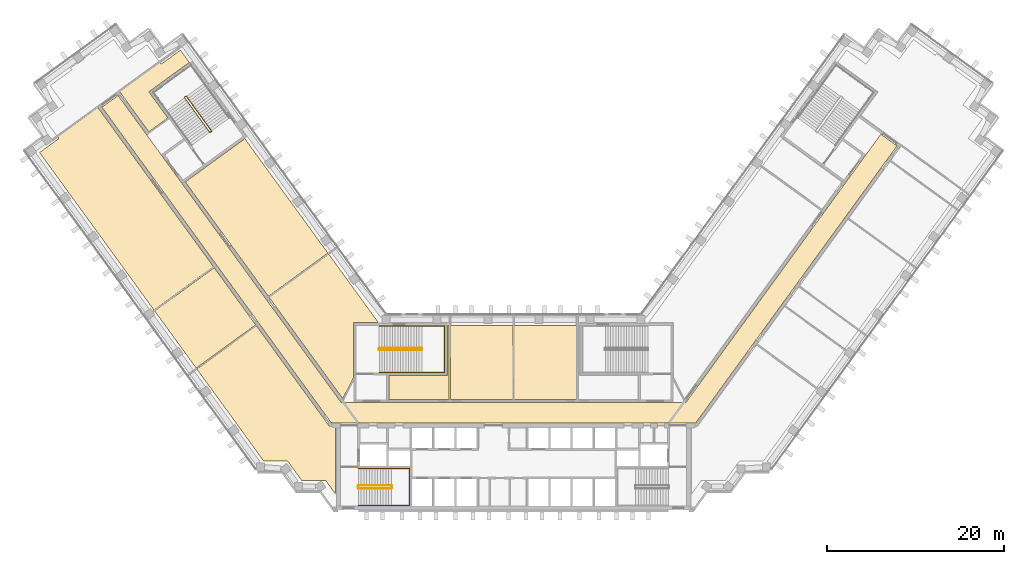
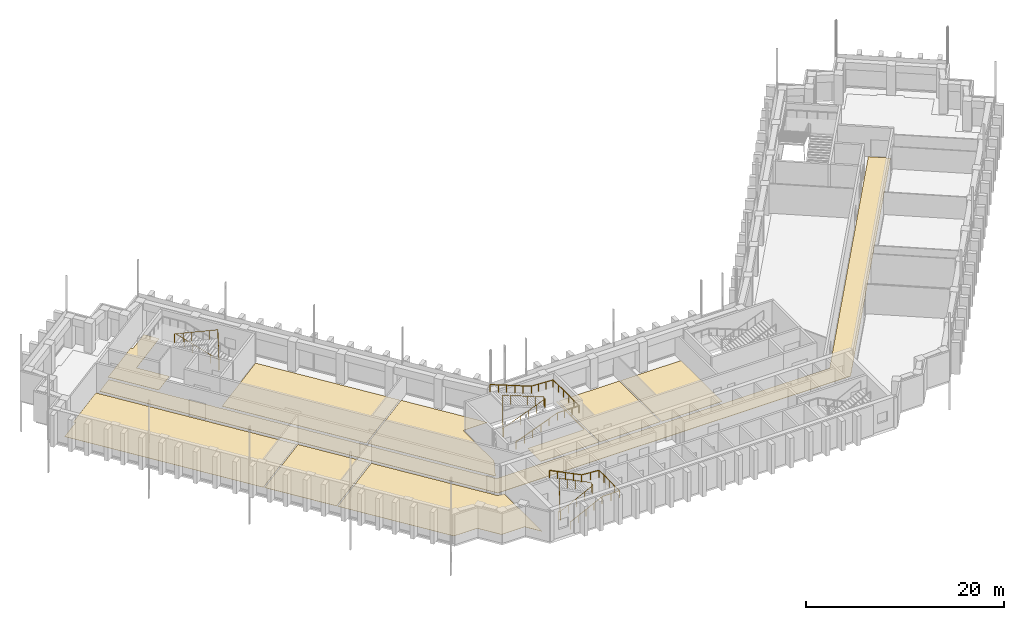
# One storey, part 16 of 18: 10 coverings, 5 railings.
"""IFC4 building model written with IfcOpenShell, lengths in metres."""

from ifc_helpers import new_model, si_unit, direction, frame, origin, origin_2d, place, context, subcontext, project, spatial, polyline, circle, outline, extrude, material, layer, layer_set, type_object, element, save


model = new_model("IFC4")

# Units and contexts
model_context = context("Model", 3, precision=1e-05, world=origin(), true_north=direction((0.0, 1.0)))
body_context = subcontext(model_context, "Body", "Model", "MODEL_VIEW")
ifc_project = project(units=[si_unit("LENGTHUNIT", "METRE"), si_unit("AREAUNIT", "SQUARE_METRE"), si_unit("VOLUMEUNIT", "CUBIC_METRE"), si_unit("PLANEANGLEUNIT", "RADIAN"), si_unit("MASSUNIT", "GRAM", prefix="KILO")], contexts=[model_context])

# Site, building, storey
site_placement = place(None, origin())
site = spatial("IfcSite", under=ifc_project, at=site_placement, CompositionType="ELEMENT")
building_placement = place(site_placement, origin())
building = spatial("IfcBuilding", under=site, at=building_placement, Name="Quipu Civic Tower", CompositionType="ELEMENT")
storey_placement = place(building_placement, frame((0.0, 0.0, 71.0)))
storey = spatial("IfcBuildingStorey", under=building, at=storey_placement, Name="L16", CompositionType="ELEMENT", Elevation=71.0)

# Coverings
ifc_material_1 = material(Name="Carpet tile on raised access floor")
ifc_layer_1 = layer(ifc_material_1, 0.02001953125)
ifc_layer_set_1 = layer_set([ifc_layer_1], Name="Carpet tile on raised access floor")
covering_type_1 = type_object("IfcCoveringType", Name="Carpet tile floor finish 20", PredefinedType="FLOORING", material=ifc_layer_set_1)
covering_1_placement = place(storey_placement, origin())
element("IfcCovering", 1, at=covering_1_placement, inside=storey, type_object=covering_type_1, Name="Carpet tile floor finish 20", PredefinedType="FLOORING", context=body_context, shape_type="SweptSolid", body=[
    extrude(outline(polyline([(0.070068359375, 9.830078125), (7.1279296875, 9.830078125), (7.1279296875, 1.52001953125), (0.070068359375, 1.52001953125), (0.070068359375, 9.830078125)])), origin(), (0.0, 0.0, 1.0), 0.02001953125),
])
covering_2_placement = place(storey_placement, origin())
element("IfcCovering", 2, at=covering_2_placement, inside=storey, type_object=covering_type_1, Name="Carpet tile floor finish 20", PredefinedType="FLOORING", context=body_context, shape_type="SweptSolid", body=[
    extrude(outline(polyline([(-44.445068359375, 36.23193359375), (-39.906005859375, 39.530029296875), (-39.757080078125, 39.327880859375), (-37.573974609375, 40.9130859375), (-36.570068359375, 39.530029296875), (-41.139892578125, 36.208984375), (-38.998046875, 33.260009765625), (-41.15087890625, 31.697021484375), (-44.445068359375, 36.23193359375)])), origin(), (0.0, 0.0, 1.0), 0.02001953125),
])
covering_3_placement = place(storey_placement, origin())
element("IfcCovering", 3, at=covering_3_placement, inside=storey, type_object=covering_type_1, Name="Carpet tile floor finish 20", PredefinedType="FLOORING", context=body_context, shape_type="SweptSolid", body=[
    extrude(outline(polyline([(-27.577880859375, 13.01708984375), (-20.85498046875, 17.90087890625), (-15.238037109375, 10.169921875), (-18.070068359375, 10.1689453125), (-18.070068359375, 3.94189453125), (-19.27197265625, 1.583984375), (-27.577880859375, 13.01708984375)])), origin(), (0.0, 0.0, 1.0), 0.02001953125),
])
covering_4_placement = place(storey_placement, origin())
element("IfcCovering", 4, at=covering_4_placement, inside=storey, type_object=covering_type_1, Name="Carpet tile floor finish 20", PredefinedType="FLOORING", context=body_context, shape_type="SweptSolid", body=[
    extrude(outline(polyline([(-35.72607421875, 4.922119140625), (-29.0029296875, 9.805908203125), (-20.77490234375, -1.51904296875), (-20.070068359375, -1.52001953125), (-20.070068359375, -9.195068359375), (-21.196044921875, -7.64599609375), (-21.6630859375, -7.64599609375), (-21.666015625, -7.64404296875), (-21.669921875, -7.64111328125), (-21.675048828125, -7.639892578125), (-21.679931640625, -7.637939453125), (-21.68408203125, -7.636962890625), (-21.68896484375, -7.636962890625), (-21.694091796875, -7.635986328125), (-21.698974609375, -7.636962890625), (-21.7041015625, -7.637939453125), (-21.708984375, -7.638916015625), (-21.712890625, -7.64111328125), (-21.718017578125, -7.64306640625), (-21.721923828125, -7.64599609375), (-21.721923828125, -7.64599609375), (-23.89501953125, -7.64599609375), (-25.48193359375, -5.4619140625), (-28.181884765625, -5.4609375), (-35.72607421875, 4.922119140625)])), origin(), (0.0, 0.0, 1.0), 0.02001953125),
])
covering_5_placement = place(storey_placement, origin())
element("IfcCovering", 5, at=covering_5_placement, inside=storey, type_object=covering_type_1, Name="Carpet tile floor finish 20", PredefinedType="FLOORING", context=body_context, shape_type="SweptSolid", body=[
    extrude(outline(polyline([(-37.0380859375, 26.0380859375), (-30.31494140625, 30.922119140625), (-20.93798828125, 18.013916015625), (-27.660888671875, 13.1298828125), (-37.0380859375, 26.0380859375)])), origin(), (0.0, 0.0, 1.0), 0.02001953125),
])
covering_6_placement = place(storey_placement, origin())
element("IfcCovering", 6, at=covering_6_placement, inside=storey, type_object=covering_type_1, Name="Carpet tile floor finish 20", PredefinedType="FLOORING", context=body_context, shape_type="SweptSolid", body=[
    extrude(outline(polyline([(-53.47998046875, 29.35791015625), (-51.298095703125, 30.943115234375), (-51.443115234375, 31.14599609375), (-46.904052734375, 34.444091796875), (-33.846923828125, 16.471923828125), (-40.570068359375, 11.587890625), (-53.47998046875, 29.35791015625)])), origin(), (0.0, 0.0, 1.0), 0.02001953125),
])
covering_7_placement = place(storey_placement, origin())
element("IfcCovering", 7, at=covering_7_placement, inside=storey, type_object=covering_type_1, Name="Carpet tile floor finish 20", PredefinedType="FLOORING", context=body_context, shape_type="SweptSolid", body=[
    extrude(outline(polyline([(-7.1279296875, 9.830078125), (-0.070068359375, 9.830078125), (-0.070068359375, 1.52001953125), (-7.1279296875, 1.52001953125), (-7.1279296875, 9.830078125)])), origin(), (0.0, 0.0, 1.0), 0.02001953125),
])
ifc_material_2 = material(Name="Ceramic floor tile")
ifc_layer_2 = layer(ifc_material_2, 0.030029296875)
ifc_layer_set_2 = layer_set([ifc_layer_2], Name="Ceramic floor tile")
covering_type_2 = type_object("IfcCoveringType", Name="Ceramic tile floor finish 30", PredefinedType="FLOORING", material=ifc_layer_set_2)
covering_8_placement = place(storey_placement, origin())
element("IfcCovering", 8, at=covering_8_placement, inside=storey, type_object=covering_type_2, Name="Ceramic tile floor finish 30", PredefinedType="FLOORING", context=body_context, shape_type="SweptSolid", body=[
    extrude(outline(polyline([(-40.487060546875, 11.47509765625), (-33.763916015625, 16.35888671875), (-29.0859375, 9.9189453125), (-35.80908203125, 5.034912109375), (-40.487060546875, 11.47509765625)])), origin(), (0.0, 0.0, 1.0), 0.030029296875),
])
covering_9_placement = place(storey_placement, origin())
element("IfcCovering", 9, at=covering_9_placement, inside=storey, type_object=covering_type_2, Name="Ceramic tile floor finish 30", PredefinedType="FLOORING", context=body_context, shape_type="SweptSolid", body=[
    extrude(outline(polyline([(-14.030029296875, 1.52001953125), (-14.030029296875, 4.179931640625), (-7.429931640625, 4.180908203125), (-7.429931640625, 9.830078125), (-7.26806640625, 9.830078125), (-7.26806640625, 1.52001953125), (-14.030029296875, 1.52001953125)])), origin(), (0.0, 0.0, 1.0), 0.030029296875),
])

# Railings
ifc_material_3 = material(Name="Stainless steel", Category="steel")
railing_type_1 = type_object("IfcRailingType", Name="Stair guard 1100", PredefinedType="GUARDRAIL", material=ifc_material_3)
railing_1_placement = place(storey_placement, frame((-17.5, -8.550048828125, 0.15380859375)))
element("IfcRailing", 10, at=railing_1_placement, inside=storey, type_object=railing_type_1, Name="Stair 1 guard", PredefinedType="GUARDRAIL", context=body_context, shape_type="SweptSolid", body=[
    extrude(circle(Radius=0.02392578125, at=origin_2d()), frame((0.0, 0.0, 1.076171875), z_axis=(0.895751851347, 0.0, 0.444554407028), x_axis=(0.0, 1.0, 0.0)), (0.0, 0.0, 1.0), 4.15283203125),
    extrude(circle(Radius=0.02392578125, at=origin_2d()), frame((3.719970703125, 0.0, 2.92236328125), z_axis=(0.707106781187, 0.707106781187, 0.0), x_axis=(-0.707106781187, 0.707106781187, 0.0)), (0.0, 0.0, 1.0), 0.07080078125),
    extrude(circle(Radius=0.02392578125, at=origin_2d()), frame((3.77001953125, 0.050048828125, 2.92236328125), z_axis=(0.0, 1.0, 0.0), x_axis=(-1.0, 0.0, 0.0)), (0.0, 0.0, 1.0), 0.25),
    extrude(circle(Radius=0.02392578125, at=origin_2d()), frame((3.77001953125, 0.300048828125, 2.92236328125), z_axis=(-0.295599637079, 0.295599637079, 0.908428152975), x_axis=(-0.707106781187, -0.707106781187, 0.0)), (0.0, 0.0, 1.0), 0.16943359375),
    extrude(circle(Radius=0.02392578125, at=origin_2d()), frame((3.719970703125, 0.35009765625, 3.076171875), z_axis=(-0.895751851347, 0.0, 0.444554407028), x_axis=(0.0, -1.0, 0.0)), (0.0, 0.0, 1.0), 4.15283203125),
    extrude(circle(Radius=0.02392578125, at=origin_2d()), frame((0.0, 0.35009765625, 4.92236328125), z_axis=(-0.012476181752, -0.074796231092, -0.997120789425), x_axis=(0.986372223864, -0.164529134168, 0.0)), (0.0, 0.0, 1.0), 4.011474609375),
    extrude(circle(Radius=0.02392578125, at=origin_2d()), frame((-0.050048828125, 0.050048828125, 0.92236328125), z_axis=(0.0, 1.0, 0.0), x_axis=(-1.0, 0.0, 0.0)), (0.0, 0.0, 1.0), 0.25),
    extrude(circle(Radius=0.02099609375, at=origin_2d()), origin(), (0.0, 0.0, 1.0), 1.052001953125),
    extrude(circle(Radius=0.02099609375, at=origin_2d()), frame((0.929931640625, 0.0, 0.46142578125)), (0.0, 0.0, 1.0), 1.052001953125),
    extrude(circle(Radius=0.02099609375, at=origin_2d()), frame((1.85986328125, 0.0, 0.923095703125)), (0.0, 0.0, 1.0), 1.052001953125),
    extrude(circle(Radius=0.02099609375, at=origin_2d()), frame((2.7900390625, 0.0, 1.384765625)), (0.0, 0.0, 1.0), 1.052001953125),
    extrude(circle(Radius=0.02099609375, at=origin_2d()), frame((3.719970703125, 0.0, 1.84619140625)), (0.0, 0.0, 1.0), 1.052001953125),
    extrude(circle(Radius=0.02099609375, at=origin_2d()), frame((3.77001953125, 0.050048828125, 1.84619140625)), (0.0, 0.0, 1.0), 1.052001953125),
    extrude(circle(Radius=0.02099609375, at=origin_2d()), frame((3.77001953125, 0.300048828125, 1.84619140625)), (0.0, 0.0, 1.0), 1.052001953125),
    extrude(circle(Radius=0.02099609375, at=origin_2d()), frame((3.719970703125, 0.35009765625, 2.0)), (0.0, 0.0, 1.0), 1.052001953125),
    extrude(circle(Radius=0.02099609375, at=origin_2d()), frame((2.7900390625, 0.35009765625, 2.46142578125)), (0.0, 0.0, 1.0), 1.052001953125),
    extrude(circle(Radius=0.02099609375, at=origin_2d()), frame((1.85986328125, 0.35009765625, 2.923095703125)), (0.0, 0.0, 1.0), 1.052001953125),
    extrude(circle(Radius=0.02099609375, at=origin_2d()), frame((0.929931640625, 0.35009765625, 3.384765625)), (0.0, 0.0, 1.0), 1.052001953125),
    extrude(circle(Radius=0.02099609375, at=origin_2d()), frame((0.0, 0.35009765625, 3.84619140625)), (0.0, 0.0, 1.0), 1.052001953125),
    extrude(circle(Radius=0.02099609375, at=origin_2d()), frame((-0.012451171875, 0.275146484375, 2.84619140625)), (0.0, 0.0, 1.0), 1.052001953125),
    extrude(circle(Radius=0.02099609375, at=origin_2d()), frame((-0.02490234375, 0.2001953125, 1.84619140625)), (0.0, 0.0, 1.0), 1.052001953125),
    extrude(circle(Radius=0.02099609375, at=origin_2d()), frame((-0.03759765625, 0.125, 0.84619140625)), (0.0, 0.0, 1.0), 1.052001953125),
    extrude(circle(Radius=0.02099609375, at=origin_2d()), frame((-0.050048828125, 0.050048828125, -0.15380859375)), (0.0, 0.0, 1.0), 1.052001953125),
    extrude(circle(Radius=0.02099609375, at=origin_2d()), frame((-0.050048828125, 0.300048828125, -0.15380859375)), (0.0, 0.0, 1.0), 1.052001953125),
])
railing_2_placement = place(storey_placement, frame((-15.14990234375, 7.050048828125, 0.11767578125)))
element("IfcRailing", 11, at=railing_2_placement, inside=storey, type_object=railing_type_1, Name="Stair 3 guard", PredefinedType="GUARDRAIL", context=body_context, shape_type="SweptSolid", body=[
    extrude(circle(Radius=0.02392578125, at=origin_2d()), frame((0.0, 0.0, 1.076171875), z_axis=(0.930970042603, 0.0, 0.365095576219), x_axis=(0.0, 1.0, 0.0)), (0.0, 0.0, 1.0), 5.15576171875),
    extrude(circle(Radius=0.02392578125, at=origin_2d()), frame((4.7998046875, 0.0, 2.95849609375), z_axis=(0.707106781187, 0.707106781187, 0.0), x_axis=(-0.707106781187, 0.707106781187, 0.0)), (0.0, 0.0, 1.0), 0.07080078125),
    extrude(circle(Radius=0.02392578125, at=origin_2d()), frame((4.849853515625, 0.050048828125, 2.95849609375), z_axis=(0.0, 1.0, 0.0), x_axis=(-1.0, 0.0, 0.0)), (0.0, 0.0, 1.0), 0.14990234375),
    extrude(circle(Radius=0.02392578125, at=origin_2d()), frame((4.849853515625, 0.199951171875, 2.95849609375), z_axis=(-0.364463019033, 0.364463019033, 0.856932561824), x_axis=(-0.707106781187, -0.707106781187, 0.0)), (0.0, 0.0, 1.0), 0.13720703125),
    extrude(circle(Radius=0.02392578125, at=origin_2d()), frame((4.7998046875, 0.25, 3.076171875), z_axis=(-0.930970042603, 0.0, 0.365095576219), x_axis=(0.0, -1.0, 0.0)), (0.0, 0.0, 1.0), 5.15576171875),
    extrude(circle(Radius=0.02392578125, at=origin_2d()), frame((0.0, 0.25, 4.95849609375), z_axis=(-0.012495627992, -0.049921557685, -0.998674970829), x_axis=(0.970072785993, -0.242814311512, 0.0)), (0.0, 0.0, 1.0), 4.00537109375),
    extrude(circle(Radius=0.02392578125, at=origin_2d()), frame((-0.050048828125, 0.050048828125, 0.95849609375), z_axis=(0.0, 1.0, 0.0), x_axis=(-1.0, 0.0, 0.0)), (0.0, 0.0, 1.0), 0.14990234375),
    extrude(circle(Radius=0.02099609375, at=origin_2d()), origin(), (0.0, 0.0, 1.0), 1.052001953125),
    extrude(circle(Radius=0.02099609375, at=origin_2d()), frame((0.9599609375, 0.0, 0.37646484375)), (0.0, 0.0, 1.0), 1.052001953125),
    extrude(circle(Radius=0.02099609375, at=origin_2d()), frame((1.919921875, 0.0, 0.7529296875)), (0.0, 0.0, 1.0), 1.052001953125),
    extrude(circle(Radius=0.02099609375, at=origin_2d()), frame((2.8798828125, 0.0, 1.12939453125)), (0.0, 0.0, 1.0), 1.052001953125),
    extrude(circle(Radius=0.02099609375, at=origin_2d()), frame((3.83984375, 0.0, 1.505859375)), (0.0, 0.0, 1.0), 1.052001953125),
    extrude(circle(Radius=0.02099609375, at=origin_2d()), frame((4.7998046875, 0.0, 1.88232421875)), (0.0, 0.0, 1.0), 1.052001953125),
    extrude(circle(Radius=0.02099609375, at=origin_2d()), frame((4.849853515625, 0.050048828125, 1.88232421875)), (0.0, 0.0, 1.0), 1.052001953125),
    extrude(circle(Radius=0.02099609375, at=origin_2d()), frame((4.849853515625, 0.199951171875, 1.88232421875)), (0.0, 0.0, 1.0), 1.052001953125),
    extrude(circle(Radius=0.02099609375, at=origin_2d()), frame((4.7998046875, 0.25, 2.0)), (0.0, 0.0, 1.0), 1.052001953125),
    extrude(circle(Radius=0.02099609375, at=origin_2d()), frame((3.83984375, 0.25, 2.37646484375)), (0.0, 0.0, 1.0), 1.052001953125),
    extrude(circle(Radius=0.02099609375, at=origin_2d()), frame((2.8798828125, 0.25, 2.7529296875)), (0.0, 0.0, 1.0), 1.052001953125),
    extrude(circle(Radius=0.02099609375, at=origin_2d()), frame((1.919921875, 0.25, 3.12939453125)), (0.0, 0.0, 1.0), 1.052001953125),
    extrude(circle(Radius=0.02099609375, at=origin_2d()), frame((0.9599609375, 0.25, 3.505859375)), (0.0, 0.0, 1.0), 1.052001953125),
    extrude(circle(Radius=0.02099609375, at=origin_2d()), frame((0.0, 0.25, 3.88232421875)), (0.0, 0.0, 1.0), 1.052001953125),
    extrude(circle(Radius=0.02099609375, at=origin_2d()), frame((-0.012451171875, 0.199951171875, 2.88232421875)), (0.0, 0.0, 1.0), 1.052001953125),
    extrude(circle(Radius=0.02099609375, at=origin_2d()), frame((-0.02490234375, 0.14990234375, 1.88232421875)), (0.0, 0.0, 1.0), 1.052001953125),
    extrude(circle(Radius=0.02099609375, at=origin_2d()), frame((-0.03759765625, 0.10009765625, 0.88232421875)), (0.0, 0.0, 1.0), 1.052001953125),
    extrude(circle(Radius=0.02099609375, at=origin_2d()), frame((-0.050048828125, 0.050048828125, -0.11767578125)), (0.0, 0.0, 1.0), 1.052001953125),
    extrude(circle(Radius=0.02099609375, at=origin_2d()), frame((-0.050048828125, 0.199951171875, -0.11767578125)), (0.0, 0.0, 1.0), 1.052001953125),
])
railing_3_placement = place(storey_placement, frame((-34.078857421875, 31.79736328125, 0.11767578125)))
element("IfcRailing", 12, at=railing_3_placement, inside=storey, type_object=railing_type_1, Name="Stair 6 guard", PredefinedType="GUARDRAIL", context=body_context, shape_type="SweptSolid", body=[
    extrude(circle(Radius=0.02392578125, at=origin_2d()), frame((0.0, 0.0, 1.076171875), z_axis=(-0.54720100349, 0.753182689643, 0.365084781664), x_axis=(-0.809026317077, -0.587772420479, 0.0)), (0.0, 0.0, 1.0), 5.15576171875),
    extrude(circle(Radius=0.02392578125, at=origin_2d()), frame((-2.8212890625, 3.88330078125, 2.95849609375), z_axis=(-0.987846838465, 0.155430446612, 0.0), x_axis=(-0.155430446612, -0.987846838465, 0.0)), (0.0, 0.0, 1.0), 0.07080078125),
    extrude(circle(Radius=0.02392578125, at=origin_2d()), frame((-2.89111328125, 3.894287109375, 2.95849609375), z_axis=(-0.809649071907, -0.586914287065, 0.0), x_axis=(0.586914287065, -0.809649071907, 0.0)), (0.0, 0.0, 1.0), 0.150146484375),
    extrude(circle(Radius=0.02392578125, at=origin_2d()), frame((-3.0126953125, 3.80615234375, 2.95849609375), z_axis=(-0.080033047627, -0.508654480474, 0.857242865693), x_axis=(0.987846838465, -0.155430446612, 0.0)), (0.0, 0.0, 1.0), 0.13720703125),
    extrude(circle(Radius=0.02392578125, at=origin_2d()), frame((-3.023681640625, 3.736328125, 3.076171875), z_axis=(0.54720100349, -0.753182689643, 0.365084781664), x_axis=(0.809026317077, 0.587772420479, 0.0)), (0.0, 0.0, 1.0), 5.15576171875),
    extrude(circle(Radius=0.02392578125, at=origin_2d()), frame((-0.202392578125, -0.14697265625, 4.95849609375), z_axis=(0.047788004556, 0.019261491632, -0.998671768681), x_axis=(-0.373837031195, 0.92749440651, 0.0)), (0.0, 0.0, 1.0), 4.00537109375),
    extrude(circle(Radius=0.02392578125, at=origin_2d()), frame((-0.010986328125, -0.06982421875, 0.95849609375), z_axis=(-0.809087927272, -0.587687609145, 0.0), x_axis=(0.587687609145, -0.809087927272, 0.0)), (0.0, 0.0, 1.0), 0.14990234375),
    extrude(circle(Radius=0.02099609375, at=origin_2d()), origin(), (0.0, 0.0, 1.0), 1.052001953125),
    extrude(circle(Radius=0.02099609375, at=origin_2d()), frame((-0.564208984375, 0.776611328125, 0.37646484375)), (0.0, 0.0, 1.0), 1.052001953125),
    extrude(circle(Radius=0.02099609375, at=origin_2d()), frame((-1.12841796875, 1.55322265625, 0.7529296875)), (0.0, 0.0, 1.0), 1.052001953125),
    extrude(circle(Radius=0.02099609375, at=origin_2d()), frame((-1.69287109375, 2.330078125, 1.12939453125)), (0.0, 0.0, 1.0), 1.052001953125),
    extrude(circle(Radius=0.02099609375, at=origin_2d()), frame((-2.257080078125, 3.106689453125, 1.505859375)), (0.0, 0.0, 1.0), 1.052001953125),
    extrude(circle(Radius=0.02099609375, at=origin_2d()), frame((-2.8212890625, 3.88330078125, 1.88232421875)), (0.0, 0.0, 1.0), 1.052001953125),
    extrude(circle(Radius=0.02099609375, at=origin_2d()), frame((-2.89111328125, 3.894287109375, 1.88232421875)), (0.0, 0.0, 1.0), 1.052001953125),
    extrude(circle(Radius=0.02099609375, at=origin_2d()), frame((-3.0126953125, 3.80615234375, 1.88232421875)), (0.0, 0.0, 1.0), 1.052001953125),
    extrude(circle(Radius=0.02099609375, at=origin_2d()), frame((-3.023681640625, 3.736328125, 2.0)), (0.0, 0.0, 1.0), 1.052001953125),
    extrude(circle(Radius=0.02099609375, at=origin_2d()), frame((-2.45947265625, 2.959716796875, 2.37646484375)), (0.0, 0.0, 1.0), 1.052001953125),
    extrude(circle(Radius=0.02099609375, at=origin_2d()), frame((-1.895263671875, 2.18310546875, 2.7529296875)), (0.0, 0.0, 1.0), 1.052001953125),
    extrude(circle(Radius=0.02099609375, at=origin_2d()), frame((-1.330810546875, 1.40625, 3.12939453125)), (0.0, 0.0, 1.0), 1.052001953125),
    extrude(circle(Radius=0.02099609375, at=origin_2d()), frame((-0.7666015625, 0.629638671875, 3.505859375)), (0.0, 0.0, 1.0), 1.052001953125),
    extrude(circle(Radius=0.02099609375, at=origin_2d()), frame((-0.202392578125, -0.14697265625, 3.88232421875)), (0.0, 0.0, 1.0), 1.052001953125),
    extrude(circle(Radius=0.02099609375, at=origin_2d()), frame((-0.154541015625, -0.127685546875, 2.88232421875)), (0.0, 0.0, 1.0), 1.052001953125),
    extrude(circle(Radius=0.02099609375, at=origin_2d()), frame((-0.106689453125, -0.1083984375, 1.88232421875)), (0.0, 0.0, 1.0), 1.052001953125),
    extrude(circle(Radius=0.02099609375, at=origin_2d()), frame((-0.058837890625, -0.089111328125, 0.88232421875)), (0.0, 0.0, 1.0), 1.052001953125),
    extrude(circle(Radius=0.02099609375, at=origin_2d()), frame((-0.010986328125, -0.06982421875, -0.11767578125)), (0.0, 0.0, 1.0), 1.052001953125),
    extrude(circle(Radius=0.02099609375, at=origin_2d()), frame((-0.13232421875, -0.157958984375, -0.11767578125)), (0.0, 0.0, 1.0), 1.052001953125),
])
ifc_material_4 = material(Name="Stainless steel", Category="steel")
railing_type_2 = type_object("IfcRailingType", Name="Stair handrail", PredefinedType="HANDRAIL", material=ifc_material_4)
railing_4_placement = place(storey_placement, frame((-17.5, -10.449951171875, 0.15380859375)))
element("IfcRailing", 13, at=railing_4_placement, inside=storey, type_object=railing_type_2, Name="Stair 1 handrail", PredefinedType="HANDRAIL", context=body_context, shape_type="SweptSolid", body=[
    extrude(circle(Radius=0.02392578125, at=origin_2d()), frame((0.0, 0.0, 0.8759765625), z_axis=(0.895751851347, 0.0, 0.444554407028), x_axis=(0.0, 1.0, 0.0)), (0.0, 0.0, 1.0), 4.15283203125),
    extrude(circle(Radius=0.02392578125, at=origin_2d()), frame((3.719970703125, 0.0, 2.72216796875), z_axis=(1.0, 0.0, 0.0), x_axis=(0.0, 1.0, 0.0)), (0.0, 0.0, 1.0), 2.030029296875),
    extrude(circle(Radius=0.02392578125, at=origin_2d()), frame((5.75, 0.0, 2.72216796875), z_axis=(0.0, 1.0, 0.0), x_axis=(-1.0, 0.0, 0.0)), (0.0, 0.0, 1.0), 4.14990234375),
    extrude(circle(Radius=0.02392578125, at=origin_2d()), frame((5.75, 4.14990234375, 2.72216796875), z_axis=(-0.997142003663, 0.0, 0.075550145798), x_axis=(0.0, -1.0, 0.0)), (0.0, 0.0, 1.0), 2.035888671875),
    extrude(circle(Radius=0.02392578125, at=origin_2d()), frame((3.719970703125, 4.14990234375, 2.8759765625), z_axis=(-0.895751851347, 0.0, 0.444554407028), x_axis=(0.0, -1.0, 0.0)), (0.0, 0.0, 1.0), 4.15283203125),
    extrude(circle(Radius=0.02099609375, at=origin_2d()), origin(), (0.0, 0.0, 1.0), 0.851806640625),
    extrude(circle(Radius=0.02099609375, at=origin_2d()), frame((0.929931640625, 0.0, 0.46142578125)), (0.0, 0.0, 1.0), 0.851806640625),
    extrude(circle(Radius=0.02099609375, at=origin_2d()), frame((1.85986328125, 0.0, 0.923095703125)), (0.0, 0.0, 1.0), 0.851806640625),
    extrude(circle(Radius=0.02099609375, at=origin_2d()), frame((2.7900390625, 0.0, 1.384765625)), (0.0, 0.0, 1.0), 0.851806640625),
    extrude(circle(Radius=0.02099609375, at=origin_2d()), frame((3.719970703125, 0.0, 1.84619140625)), (0.0, 0.0, 1.0), 0.851806640625),
    extrude(circle(Radius=0.02099609375, at=origin_2d()), frame((4.73486328125, 0.0, 1.84619140625)), (0.0, 0.0, 1.0), 0.851806640625),
    extrude(circle(Radius=0.02099609375, at=origin_2d()), frame((5.75, 0.0, 1.84619140625)), (0.0, 0.0, 1.0), 0.851806640625),
    extrude(circle(Radius=0.02099609375, at=origin_2d()), frame((5.75, 1.03759765625, 1.84619140625)), (0.0, 0.0, 1.0), 0.851806640625),
    extrude(circle(Radius=0.02099609375, at=origin_2d()), frame((5.75, 2.074951171875, 1.84619140625)), (0.0, 0.0, 1.0), 0.851806640625),
    extrude(circle(Radius=0.02099609375, at=origin_2d()), frame((5.75, 3.1123046875, 1.84619140625)), (0.0, 0.0, 1.0), 0.851806640625),
    extrude(circle(Radius=0.02099609375, at=origin_2d()), frame((5.75, 4.14990234375, 1.84619140625)), (0.0, 0.0, 1.0), 0.851806640625),
    extrude(circle(Radius=0.02099609375, at=origin_2d()), frame((4.73486328125, 4.14990234375, 1.923095703125)), (0.0, 0.0, 1.0), 0.851806640625),
    extrude(circle(Radius=0.02099609375, at=origin_2d()), frame((3.719970703125, 4.14990234375, 2.0)), (0.0, 0.0, 1.0), 0.851806640625),
    extrude(circle(Radius=0.02099609375, at=origin_2d()), frame((2.7900390625, 4.14990234375, 2.46142578125)), (0.0, 0.0, 1.0), 0.851806640625),
    extrude(circle(Radius=0.02099609375, at=origin_2d()), frame((1.85986328125, 4.14990234375, 2.923095703125)), (0.0, 0.0, 1.0), 0.851806640625),
    extrude(circle(Radius=0.02099609375, at=origin_2d()), frame((0.929931640625, 4.14990234375, 3.384765625)), (0.0, 0.0, 1.0), 0.851806640625),
    extrude(circle(Radius=0.02099609375, at=origin_2d()), frame((0.0, 4.14990234375, 3.84619140625)), (0.0, 0.0, 1.0), 0.851806640625),
])
railing_5_placement = place(storey_placement, frame((-15.14990234375, 4.550048828125, 0.11767578125)))
element("IfcRailing", 14, at=railing_5_placement, inside=storey, type_object=railing_type_2, Name="Stair 3 handrail", PredefinedType="HANDRAIL", context=body_context, shape_type="SweptSolid", body=[
    extrude(circle(Radius=0.02392578125, at=origin_2d()), frame((0.0, 0.0, 0.8759765625), z_axis=(0.930970042603, 0.0, 0.365095576219), x_axis=(0.0, 1.0, 0.0)), (0.0, 0.0, 1.0), 5.15576171875),
    extrude(circle(Radius=0.02392578125, at=origin_2d()), frame((4.7998046875, 0.0, 2.75830078125), z_axis=(1.0, 0.0, 0.0), x_axis=(0.0, 1.0, 0.0)), (0.0, 0.0, 1.0), 2.550048828125),
    extrude(circle(Radius=0.02392578125, at=origin_2d()), frame((7.349853515625, 0.0, 2.75830078125), z_axis=(0.0, 1.0, 0.0), x_axis=(-1.0, 0.0, 0.0)), (0.0, 0.0, 1.0), 5.25),
    extrude(circle(Radius=0.02392578125, at=origin_2d()), frame((7.349853515625, 5.25, 2.75830078125), z_axis=(-0.998936948642, 0.0, 0.04609742549), x_axis=(0.0, -1.0, 0.0)), (0.0, 0.0, 1.0), 2.552734375),
    extrude(circle(Radius=0.02392578125, at=origin_2d()), frame((4.7998046875, 5.25, 2.8759765625), z_axis=(-0.930970042603, 0.0, 0.365095576219), x_axis=(0.0, -1.0, 0.0)), (0.0, 0.0, 1.0), 5.15576171875),
    extrude(circle(Radius=0.02099609375, at=origin_2d()), origin(), (0.0, 0.0, 1.0), 0.851806640625),
    extrude(circle(Radius=0.02099609375, at=origin_2d()), frame((0.9599609375, 0.0, 0.37646484375)), (0.0, 0.0, 1.0), 0.851806640625),
    extrude(circle(Radius=0.02099609375, at=origin_2d()), frame((1.919921875, 0.0, 0.7529296875)), (0.0, 0.0, 1.0), 0.851806640625),
    extrude(circle(Radius=0.02099609375, at=origin_2d()), frame((2.8798828125, 0.0, 1.12939453125)), (0.0, 0.0, 1.0), 0.851806640625),
    extrude(circle(Radius=0.02099609375, at=origin_2d()), frame((3.83984375, 0.0, 1.505859375)), (0.0, 0.0, 1.0), 0.851806640625),
    extrude(circle(Radius=0.02099609375, at=origin_2d()), frame((4.7998046875, 0.0, 1.88232421875)), (0.0, 0.0, 1.0), 0.851806640625),
    extrude(circle(Radius=0.02099609375, at=origin_2d()), frame((5.64990234375, 0.0, 1.88232421875)), (0.0, 0.0, 1.0), 0.851806640625),
    extrude(circle(Radius=0.02099609375, at=origin_2d()), frame((6.499755859375, 0.0, 1.88232421875)), (0.0, 0.0, 1.0), 0.851806640625),
    extrude(circle(Radius=0.02099609375, at=origin_2d()), frame((7.349853515625, 0.0, 1.88232421875)), (0.0, 0.0, 1.0), 0.851806640625),
    extrude(circle(Radius=0.02099609375, at=origin_2d()), frame((7.349853515625, 1.050048828125, 1.88232421875)), (0.0, 0.0, 1.0), 0.851806640625),
    extrude(circle(Radius=0.02099609375, at=origin_2d()), frame((7.349853515625, 2.10009765625, 1.88232421875)), (0.0, 0.0, 1.0), 0.851806640625),
    extrude(circle(Radius=0.02099609375, at=origin_2d()), frame((7.349853515625, 3.14990234375, 1.88232421875)), (0.0, 0.0, 1.0), 0.851806640625),
    extrude(circle(Radius=0.02099609375, at=origin_2d()), frame((7.349853515625, 4.199951171875, 1.88232421875)), (0.0, 0.0, 1.0), 0.851806640625),
    extrude(circle(Radius=0.02099609375, at=origin_2d()), frame((7.349853515625, 5.25, 1.88232421875)), (0.0, 0.0, 1.0), 0.851806640625),
    extrude(circle(Radius=0.02099609375, at=origin_2d()), frame((6.499755859375, 5.25, 1.921630859375)), (0.0, 0.0, 1.0), 0.851806640625),
    extrude(circle(Radius=0.02099609375, at=origin_2d()), frame((5.64990234375, 5.25, 1.960693359375)), (0.0, 0.0, 1.0), 0.851806640625),
    extrude(circle(Radius=0.02099609375, at=origin_2d()), frame((4.7998046875, 5.25, 2.0)), (0.0, 0.0, 1.0), 0.851806640625),
    extrude(circle(Radius=0.02099609375, at=origin_2d()), frame((3.83984375, 5.25, 2.37646484375)), (0.0, 0.0, 1.0), 0.851806640625),
    extrude(circle(Radius=0.02099609375, at=origin_2d()), frame((2.8798828125, 5.25, 2.7529296875)), (0.0, 0.0, 1.0), 0.851806640625),
    extrude(circle(Radius=0.02099609375, at=origin_2d()), frame((1.919921875, 5.25, 3.12939453125)), (0.0, 0.0, 1.0), 0.851806640625),
    extrude(circle(Radius=0.02099609375, at=origin_2d()), frame((0.9599609375, 5.25, 3.505859375)), (0.0, 0.0, 1.0), 0.851806640625),
    extrude(circle(Radius=0.02099609375, at=origin_2d()), frame((0.0, 5.25, 3.88232421875)), (0.0, 0.0, 1.0), 0.851806640625),
])

# Covering
ifc_material_5 = material(Name="Terrazzo floor finish")
ifc_layer_3 = layer(ifc_material_5, 0.0400390625)
ifc_layer_set_3 = layer_set([ifc_layer_3], Name="Terrazzo floor finish")
covering_type_3 = type_object("IfcCoveringType", Name="Terrazzo floor finish 40", PredefinedType="FLOORING", material=ifc_layer_set_3)
covering_10_placement = place(storey_placement, origin())
element("IfcCovering", 15, at=covering_10_placement, inside=storey, type_object=covering_type_3, Name="Terrazzo floor finish 40", PredefinedType="FLOORING", context=body_context, shape_type="SweptSolid", body=[
    extrude(outline(polyline([(20.574951171875, -1.1298828125), (-20.574951171875, -1.1298828125), (-46.44091796875, 34.471923828125), (-44.613037109375, 35.800048828125), (-19.425048828125, 1.1298828125), (19.425048828125, 1.1298828125), (41.43896484375, 31.430908203125), (43.26708984375, 30.10302734375), (20.574951171875, -1.1298828125)])), origin(), (0.0, 0.0, 1.0), 0.0400390625),
])

save(model, "model.ifc")
